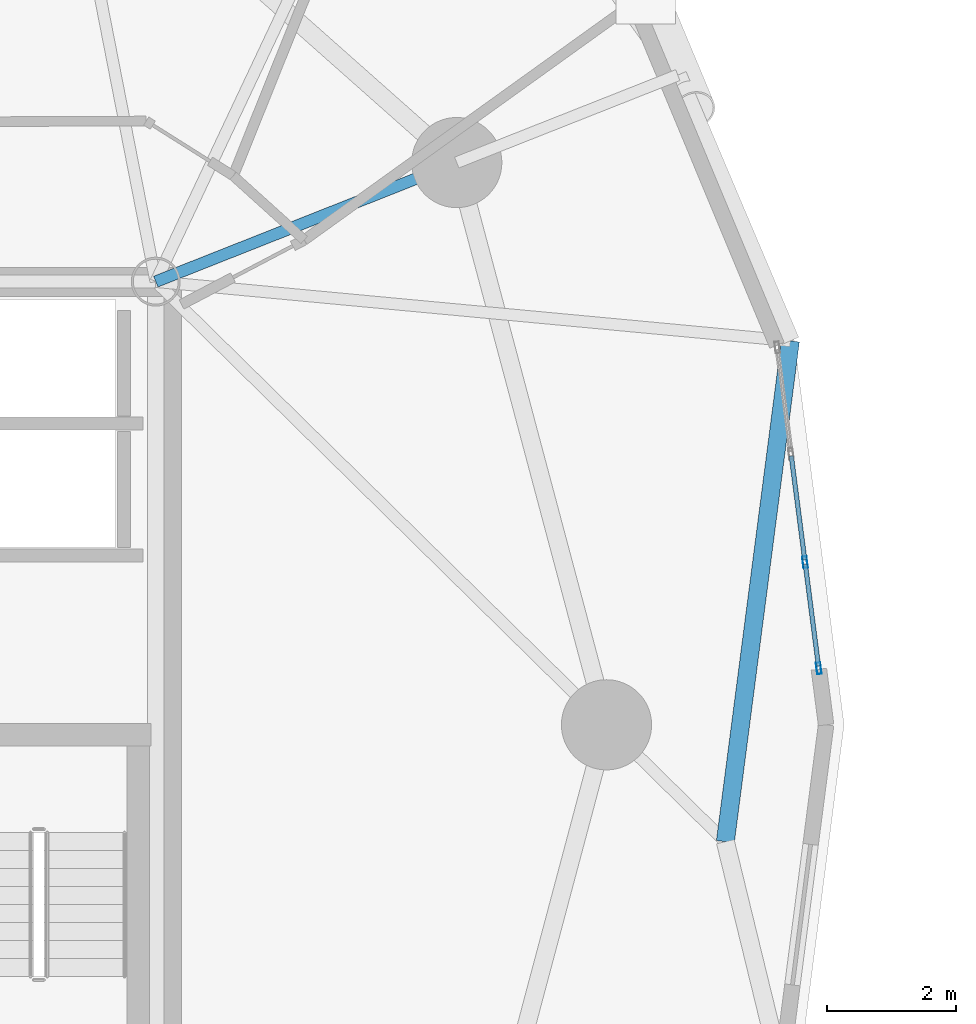
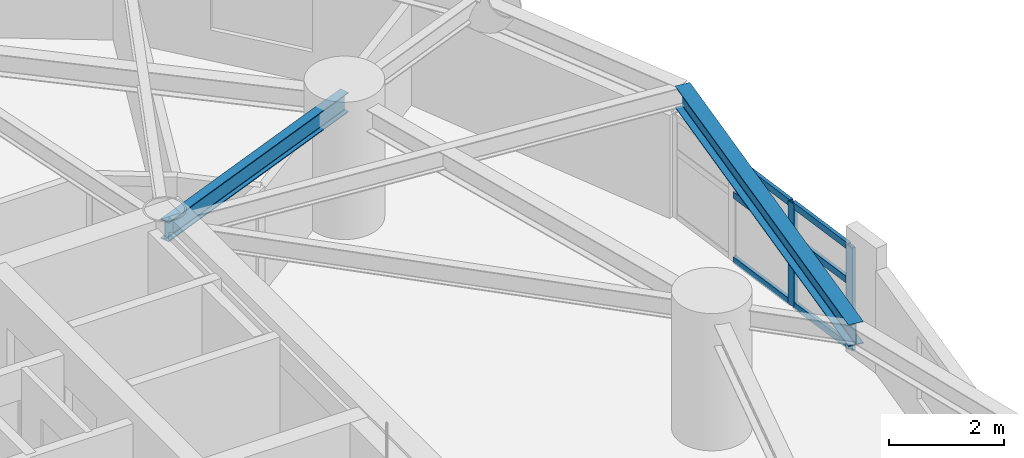
# One storey, part 2 of 18: 8 members, 2 beams, 1 element without a shape of its own.
"""IFC4 building model written with IfcOpenShell, lengths in metres."""

from ifc_helpers import new_model, si_unit, direction, frame, origin, origin_2d, place, context, subcontext, project, spatial, hollow_rectangle, i_section, extrude, material, layer, layer_set, material_profile, profile_set, type_object, element, aggregate, save


model = new_model("IFC4")

# Units and contexts
model_context = context("Model", 3, precision=1e-05, world=origin(), true_north=direction((0.0, 1.0)))
body_context = subcontext(model_context, "Body", "Model", "MODEL_VIEW")
ifc_project = project(units=[si_unit("LENGTHUNIT", "METRE"), si_unit("AREAUNIT", "SQUARE_METRE"), si_unit("VOLUMEUNIT", "CUBIC_METRE"), si_unit("PLANEANGLEUNIT", "RADIAN"), si_unit("MASSUNIT", "GRAM", prefix="KILO")], contexts=[model_context])

# Site, building, storey
site_placement = place(None, origin())
site = spatial("IfcSite", under=ifc_project, at=site_placement, CompositionType="ELEMENT")
building_placement = place(site_placement, origin())
building = spatial("IfcBuilding", under=site, at=building_placement, Name="Cununo Teusaquillo Station Towers", CompositionType="ELEMENT")
storey_placement = place(building_placement, frame((0.0, 0.0, 119.6201171875)))
storey = spatial("IfcBuildingStorey", under=building, at=storey_placement, Name="L38", CompositionType="ELEMENT", Elevation=119.6201171875)

# Beams
ifc_material_1 = material(Name="Steel ASTM A572 Grade 50", Category="steel")
ifc_material_profile_1 = material_profile(ifc_material_1, i_section(OverallWidth=0.180908203125, OverallDepth=0.4169921875, WebThickness=0.010986328125, FlangeThickness=0.018310546875, FilletRadius=0.012939453125, at=origin_2d()), Name="W16X57")
ifc_profile_set_1 = profile_set([ifc_material_profile_1], Name="Steel ASTM A572 Grade 50")
beam_type_1 = type_object("IfcBeamType", Name="BM-RAD-G2", PredefinedType="BEAM", material=ifc_profile_set_1)
beam_1_placement = place(storey_placement, frame((21.675048828125, 31.3798828125, 2.46142578125), z_axis=(0.929864104313, 0.367903176814, 0.0), x_axis=(-0.367903176814, 0.929864104313, 0.0)))
element("IfcBeam", 1, at=beam_1_placement, inside=storey, type_object=beam_type_1, Name="L38 Tower A Radial Girder 02A", PredefinedType="BEAM", context=body_context, shape_type="SweptSolid", body=[
    extrude(i_section(OverallWidth=0.180908203125, OverallDepth=0.4169921875, WebThickness=0.010986328125, FlangeThickness=0.018310546875, FilletRadius=0.012939453125, at=origin_2d()), origin(), (0.0, 0.0, 1.0), 5.02490234375),
])
ifc_material_2 = material(Name="Steel ASTM A572 Grade 50", Category="steel")
ifc_material_profile_2 = material_profile(ifc_material_2, i_section(OverallWidth=0.280029296875, OverallDepth=0.462890625, WebThickness=0.0107421875, FlangeThickness=0.017333984375, FilletRadius=0.013916015625, at=origin_2d()), Name="W18X76")
ifc_profile_set_2 = profile_set([ifc_material_profile_2], Name="Steel ASTM A572 Grade 50")
beam_type_2 = type_object("IfcBeamType", Name="BM-RING-Z2", PredefinedType="SPANDREL", material=ifc_profile_set_2)
beam_2_placement = place(storey_placement, frame((30.51708984375, 22.685791015625, 2.4384765625), z_axis=(0.12888124113, 0.991660035337, 0.0), x_axis=(-0.991660035337, 0.12888124113, 0.0)))
element("IfcBeam", 2, at=beam_2_placement, inside=storey, type_object=beam_type_2, Name="L38 Tower A Spandrel Ring Beam 01", PredefinedType="SPANDREL", context=body_context, shape_type="SweptSolid", body=[
    extrude(i_section(OverallWidth=0.280029296875, OverallDepth=0.462890625, WebThickness=0.0107421875, FlangeThickness=0.017333984375, FilletRadius=0.013916015625, at=origin_2d()), origin(), (0.0, 0.0, 1.0), 7.840576171875),
])

# Curtain wall, members
ifc_material_3 = material(Name="Ceramic-fritted dark low-E double glazing", Category="glass")
ifc_layer = layer(ifc_material_3, 0.179931640625)
ifc_layer_set = layer_set([ifc_layer], Name="Ceramic-fritted dark low-E double glazing")
curtain_wall_type = type_object("IfcCurtainWallType", Name="CW-SYS-04", PredefinedType="USERDEFINED", material=ifc_layer_set)
curtain_wall_placement = place(storey_placement, origin())
curtain_wall = element("IfcCurtainWall", 3, at=curtain_wall_placement, inside=storey, type_object=curtain_wall_type, Name="L38 Tower A Facade Curtain Wall C00", ObjectType="FRITTED GLAZING", PredefinedType="USERDEFINED")
ifc_material_4 = material(Name="Anodised dark bronze aluminium EN AW-6063-T6", Category="aluminium")
ifc_material_profile_3 = material_profile(ifc_material_4, hollow_rectangle(XDim=0.070068359375, YDim=0.179931640625, WallThickness=0.00390625, at=origin_2d()), Name="CW-MULL-70x180")
ifc_profile_set_3 = profile_set([ifc_material_profile_3], Name="Anodised dark bronze aluminium EN AW-6063-T6")
member_type_1 = type_object("IfcMemberType", Name="CWM-180", PredefinedType="MULLION", material=ifc_profile_set_3)
member_1_placement = place(storey_placement, frame((31.754150390625, 27.0263671875, 0.0), z_axis=(0.0, 0.0, 1.0), x_axis=(0.991730764367, 0.128335852387, 0.0)))
member_1 = element("IfcMember", 4, at=member_1_placement, type_object=member_type_1, Name="CW-04 mullion 3", PredefinedType="MULLION", context=body_context, shape_type="SweptSolid", body=[
    extrude(hollow_rectangle(XDim=0.070068359375, YDim=0.179931640625, WallThickness=0.00390625, at=origin_2d()), origin(), (0.0, 0.0, 1.0), 2.178955078125),
])
member_2_placement = place(storey_placement, frame((31.967529296875, 25.377685546875, 0.0), z_axis=(0.0, 0.0, 1.0), x_axis=(0.991730764367, 0.128335852387, 0.0)))
member_2 = element("IfcMember", 5, at=member_2_placement, type_object=member_type_1, Name="CW-04 mullion 4", PredefinedType="MULLION", context=body_context, shape_type="SweptSolid", body=[
    extrude(hollow_rectangle(XDim=0.070068359375, YDim=0.179931640625, WallThickness=0.00390625, at=origin_2d()), origin(), (0.0, 0.0, 1.0), 2.178955078125),
])
ifc_material_5 = material(Name="Anodised dark bronze aluminium EN AW-6063-T6", Category="aluminium")
ifc_material_profile_4 = material_profile(ifc_material_5, hollow_rectangle(XDim=0.070068359375, YDim=0.139892578125, WallThickness=0.00390625, at=origin_2d()), Name="CW-TRAN-70x140")
ifc_profile_set_4 = profile_set([ifc_material_profile_4], Name="Anodised dark bronze aluminium EN AW-6063-T6")
member_type_2 = type_object("IfcMemberType", Name="CWT-140", PredefinedType="USERDEFINED", material=ifc_profile_set_4)
member_3_placement = place(storey_placement, frame((31.540771484375, 28.675048828125, 0.034912109375), z_axis=(0.128261686134, -0.991740359101, 0.0), x_axis=(0.991740359101, 0.128261686134, 0.0)))
member_3 = element("IfcMember", 6, at=member_3_placement, type_object=member_type_2, Name="CW-04 transom 2.1", ObjectType="TRANSOM", PredefinedType="USERDEFINED", context=body_context, shape_type="SweptSolid", body=[
    extrude(hollow_rectangle(XDim=0.070068359375, YDim=0.139892578125, WallThickness=0.00390625, at=origin_2d()), origin(), (0.0, 0.0, 1.0), 1.62744140625),
])
member_4_placement = place(storey_placement, frame((31.540771484375, 28.675048828125, 1.415771484375), z_axis=(0.128261686134, -0.991740359101, 0.0), x_axis=(0.991740359101, 0.128261686134, 0.0)))
member_4 = element("IfcMember", 7, at=member_4_placement, type_object=member_type_2, Name="CW-04 transom 2.2", ObjectType="TRANSOM", PredefinedType="USERDEFINED", context=body_context, shape_type="SweptSolid", body=[
    extrude(hollow_rectangle(XDim=0.070068359375, YDim=0.139892578125, WallThickness=0.00390625, at=origin_2d()), origin(), (0.0, 0.0, 1.0), 1.62744140625),
])
member_5_placement = place(storey_placement, frame((31.540771484375, 28.675048828125, 2.143798828125), z_axis=(0.128261686134, -0.991740359101, 0.0), x_axis=(0.991740359101, 0.128261686134, 0.0)))
member_5 = element("IfcMember", 8, at=member_5_placement, type_object=member_type_2, Name="CW-04 transom 2.3", ObjectType="TRANSOM", PredefinedType="USERDEFINED", context=body_context, shape_type="SweptSolid", body=[
    extrude(hollow_rectangle(XDim=0.070068359375, YDim=0.139892578125, WallThickness=0.00390625, at=origin_2d()), origin(), (0.0, 0.0, 1.0), 1.62744140625),
])
member_6_placement = place(storey_placement, frame((31.758544921875, 26.99169921875, 0.034912109375), z_axis=(0.128316698748, -0.991733242774, 0.0), x_axis=(0.991733242774, 0.128316698748, 0.0)))
member_6 = element("IfcMember", 9, at=member_6_placement, type_object=member_type_2, Name="CW-04 transom 3.1", ObjectType="TRANSOM", PredefinedType="USERDEFINED", context=body_context, shape_type="SweptSolid", body=[
    extrude(hollow_rectangle(XDim=0.070068359375, YDim=0.139892578125, WallThickness=0.00390625, at=origin_2d()), origin(), (0.0, 0.0, 1.0), 1.592529296875),
])
member_7_placement = place(storey_placement, frame((31.758544921875, 26.99169921875, 1.415771484375), z_axis=(0.128316698748, -0.991733242774, 0.0), x_axis=(0.991733242774, 0.128316698748, 0.0)))
member_7 = element("IfcMember", 10, at=member_7_placement, type_object=member_type_2, Name="CW-04 transom 3.2", ObjectType="TRANSOM", PredefinedType="USERDEFINED", context=body_context, shape_type="SweptSolid", body=[
    extrude(hollow_rectangle(XDim=0.070068359375, YDim=0.139892578125, WallThickness=0.00390625, at=origin_2d()), origin(), (0.0, 0.0, 1.0), 1.592529296875),
])
member_8_placement = place(storey_placement, frame((31.758544921875, 26.99169921875, 2.143798828125), z_axis=(0.128316698748, -0.991733242774, 0.0), x_axis=(0.991733242774, 0.128316698748, 0.0)))
member_8 = element("IfcMember", 11, at=member_8_placement, type_object=member_type_2, Name="CW-04 transom 3.3", ObjectType="TRANSOM", PredefinedType="USERDEFINED", context=body_context, shape_type="SweptSolid", body=[
    extrude(hollow_rectangle(XDim=0.070068359375, YDim=0.139892578125, WallThickness=0.00390625, at=origin_2d()), origin(), (0.0, 0.0, 1.0), 1.592529296875),
])
aggregate(curtain_wall, [member_1, member_2, member_3, member_4, member_5, member_6, member_7, member_8])

save(model, "model.ifc")
